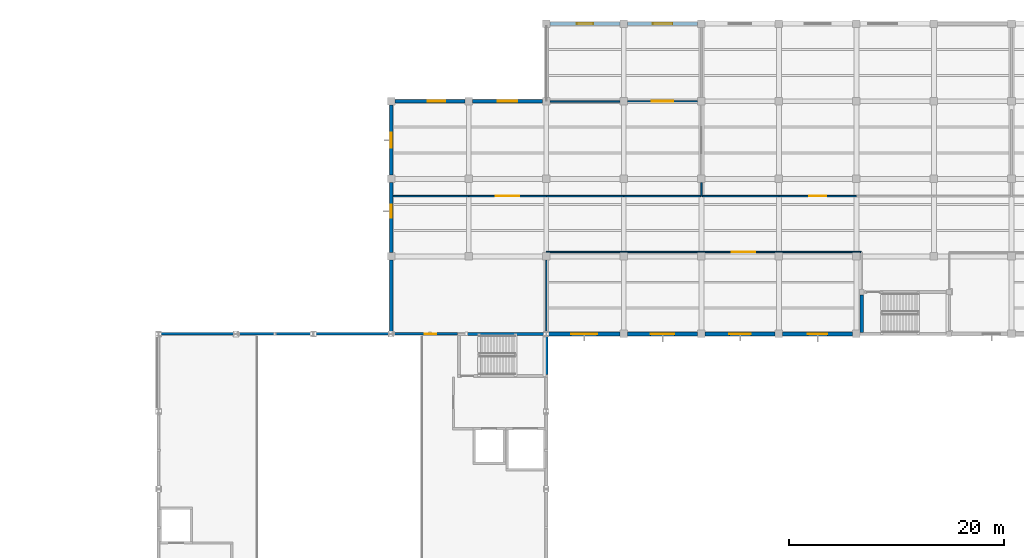
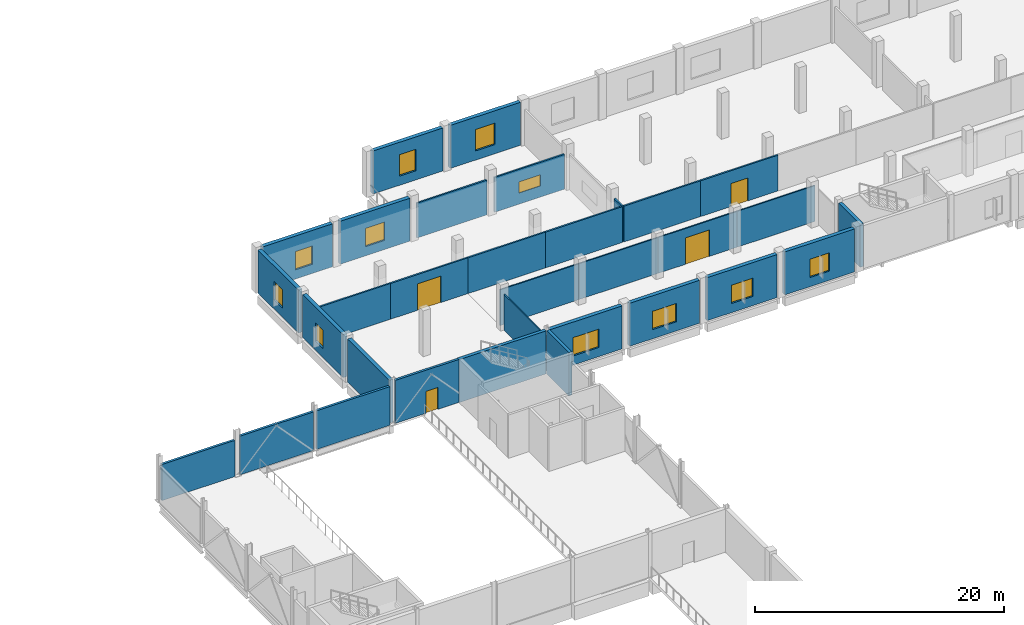
# One storey, part 92 of 108: 32 walls, 11 windows, 4 doors, 15 openings.
"""IFC4 building model written with IfcOpenShell, lengths in metres."""

from ifc_helpers import new_model, si_unit, direction, frame, frame_2d, origin, place, context, subcontext, project, spatial, rectangle, extrude, material, layer, layer_set, type_object, element, fill, save


model = new_model("IFC4")

# Units and contexts
model_context = context("Model", 3, precision=1e-05, world=origin(), true_north=direction((0.0, 1.0)))
body_context = subcontext(model_context, "Body", "Model", "MODEL_VIEW")
ifc_project = project(units=[si_unit("LENGTHUNIT", "METRE"), si_unit("AREAUNIT", "SQUARE_METRE"), si_unit("VOLUMEUNIT", "CUBIC_METRE"), si_unit("PLANEANGLEUNIT", "RADIAN"), si_unit("MASSUNIT", "GRAM", prefix="KILO"), si_unit("THERMODYNAMICTEMPERATUREUNIT", "KELVIN"), si_unit("POWERUNIT", "WATT")], contexts=[model_context])

# Site, building, storey
site_placement = place(None, origin())
site = spatial("IfcSite", under=ifc_project, at=site_placement, CompositionType="ELEMENT")
building_placement = place(site_placement, origin())
building = spatial("IfcBuilding", under=site, at=building_placement, Name="Kaldorven Railside Theatre", CompositionType="ELEMENT")
storey_placement = place(building_placement, frame((0.0, 0.0, 5.39990234375)))
storey = spatial("IfcBuildingStorey", under=building, at=storey_placement, Name="L01", CompositionType="ELEMENT", Elevation=5.39990234375)

# Wall
ifc_material_1 = material(Name="Precast concrete C40/50", Category="concrete")
ifc_layer_1 = layer(ifc_material_1, 0.35009765625, Name="Precast concrete C40/50")
ifc_layer_set_1 = layer_set([ifc_layer_1], Name="Precast concrete C40/50")
wall_type_1 = type_object("IfcWallType", Name="WL-EW03", PredefinedType="SOLIDWALL", material=ifc_layer_set_1)
wall_1_placement = place(storey_placement, frame((108.800048828125, 112.949951171875, 0.0), z_axis=(0.0, 0.0, 1.0), x_axis=(0.0, 1.0, 0.0)))
element("IfcWall", 1, at=wall_1_placement, inside=storey, type_object=wall_type_1, Name="V6L L01 Exterior Wall EW-0346", PredefinedType="SOLIDWALL", context=body_context, shape_type="SweptSolid", body=[
    extrude(rectangle(XDim=6.699951171875, YDim=0.35009765625, at=frame_2d((3.35009765625, 0.0))), origin(), (0.0, 0.0, 1.0), 4.22021484375),
])

# Wall, opening, window
wall_2_placement = place(storey_placement, frame((108.800048828125, 120.35009765625, 0.0), z_axis=(0.0, 0.0, 1.0), x_axis=(0.0, 1.0, 0.0)))
wall_2 = element("IfcWall", 2, at=wall_2_placement, inside=storey, type_object=wall_type_1, Name="V6L L01 Exterior Wall EW-0347", PredefinedType="SOLIDWALL", context=body_context, shape_type="SweptSolid", body=[
    extrude(rectangle(XDim=6.5, YDim=0.35009765625, at=frame_2d((3.25, 0.0))), origin(), (0.0, 0.0, 1.0), 4.22021484375),
])
opening_1_placement = place(wall_2_placement, frame((3.25, 0.0, 0.89990234375)))
opening_1 = element("IfcOpeningElement", 3, at=opening_1_placement, cuts=wall_2, Name="Opening WN-051", PredefinedType="OPENING", context=body_context, shape_type="SweptSolid", body=[
    extrude(rectangle(XDim=1.199951171875, YDim=1.800048828125, at=frame_2d((0.60009765625, 0.89990234375))), frame((0.0, 0.18505859375, 0.0), z_axis=(0.0, -1.0, 0.0), x_axis=(1.0, 0.0, 0.0)), (0.0, 0.0, 1.0), 0.3701171875),
])
ifc_material_2 = material(Name="Low-E laminated solar-control glass", Category="glass")
window_type_1 = type_object("IfcWindowType", Name="WN-EW01", PartitioningType="SINGLE_PANEL", PredefinedType="WINDOW", material=ifc_material_2)
window_1_placement = place(opening_1_placement, origin())
window_1 = element("IfcWindow", 4, at=window_1_placement, inside=storey, type_object=window_type_1, Name="Shaded Acoustic Exterior Window WN-051", OverallHeight=1.800048828125, OverallWidth=1.199951171875, PartitioningType="SINGLE_PANEL", PredefinedType="WINDOW", context=body_context, shape_type="SweptSolid", body=[
    extrude(rectangle(XDim=1.199951171875, YDim=1.800048828125, at=frame_2d((0.60009765625, 0.89990234375))), frame((0.0, 0.030029296875, 0.0), z_axis=(0.0, -1.0, 0.0), x_axis=(1.0, 0.0, 0.0)), (0.0, 0.0, 1.0), 0.06005859375),
])
fill(opening_1, window_1)

wall_3_placement = place(storey_placement, frame((108.800048828125, 127.550048828125, 0.0), z_axis=(0.0, 0.0, 1.0), x_axis=(0.0, 1.0, 0.0)))
wall_3 = element("IfcWall", 5, at=wall_3_placement, inside=storey, type_object=wall_type_1, Name="V6L L01 Exterior Wall EW-0348", PredefinedType="SOLIDWALL", context=body_context, shape_type="SweptSolid", body=[
    extrude(rectangle(XDim=6.5, YDim=0.35009765625, at=frame_2d((3.25, 0.0))), origin(), (0.0, 0.0, 1.0), 4.22021484375),
])
opening_2_placement = place(wall_3_placement, frame((2.550048828125, 0.0, 0.89990234375)))
opening_2 = element("IfcOpeningElement", 6, at=opening_2_placement, cuts=wall_3, Name="Opening WN-052", PredefinedType="OPENING", context=body_context, shape_type="SweptSolid", body=[
    extrude(rectangle(XDim=1.39990234375, YDim=1.800048828125, at=frame_2d((0.699951171875, 0.89990234375))), frame((0.0, 0.18505859375, 0.0), z_axis=(0.0, -1.0, 0.0), x_axis=(1.0, 0.0, 0.0)), (0.0, 0.0, 1.0), 0.3701171875),
])
window_type_2 = type_object("IfcWindowType", Name="WN-EW02", PartitioningType="SINGLE_PANEL", PredefinedType="WINDOW", material=ifc_material_2)
window_2_placement = place(opening_2_placement, origin())
window_2 = element("IfcWindow", 7, at=window_2_placement, inside=storey, type_object=window_type_2, Name="Shaded Acoustic Exterior Window WN-052", OverallHeight=1.800048828125, OverallWidth=1.39990234375, PartitioningType="SINGLE_PANEL", PredefinedType="WINDOW", context=body_context, shape_type="SweptSolid", body=[
    extrude(rectangle(XDim=1.39990234375, YDim=1.800048828125, at=frame_2d((0.699951171875, 0.89990234375))), frame((0.0, 0.030029296875, 0.0), z_axis=(0.0, -1.0, 0.0), x_axis=(1.0, 0.0, 0.0)), (0.0, 0.0, 1.0), 0.06005859375),
])
fill(opening_2, window_2)

wall_4_placement = place(storey_placement, frame((109.14990234375, 134.39990234375, 0.0), z_axis=(0.0, 0.0, 1.0), x_axis=(1.0, 0.0, 0.0)))
wall_4 = element("IfcWall", 8, at=wall_4_placement, inside=storey, type_object=wall_type_1, Name="V6L L01 Exterior Wall EW-0349", PredefinedType="SOLIDWALL", context=body_context, shape_type="SweptSolid", body=[
    extrude(rectangle(XDim=6.5, YDim=0.35009765625, at=frame_2d((3.25, 0.0))), origin(), (0.0, 0.0, 1.0), 4.22021484375),
])
opening_3_placement = place(wall_4_placement, frame((3.050048828125, 0.0, 0.89990234375)))
opening_3 = element("IfcOpeningElement", 9, at=opening_3_placement, cuts=wall_4, Name="Opening WN-053", PredefinedType="OPENING", context=body_context, shape_type="SweptSolid", body=[
    extrude(rectangle(XDim=1.60009765625, YDim=1.800048828125, at=frame_2d((0.800048828125, 0.89990234375))), frame((0.0, 0.18505859375, 0.0), z_axis=(0.0, -1.0, 0.0), x_axis=(1.0, 0.0, 0.0)), (0.0, 0.0, 1.0), 0.3701171875),
])
window_type_3 = type_object("IfcWindowType", Name="WN-EW03", PartitioningType="SINGLE_PANEL", PredefinedType="WINDOW", material=ifc_material_2)
window_3_placement = place(opening_3_placement, origin())
window_3 = element("IfcWindow", 10, at=window_3_placement, inside=storey, type_object=window_type_3, Name="Shaded Acoustic Exterior Window WN-053", OverallHeight=1.800048828125, OverallWidth=1.60009765625, PartitioningType="SINGLE_PANEL", PredefinedType="WINDOW", context=body_context, shape_type="SweptSolid", body=[
    extrude(rectangle(XDim=1.60009765625, YDim=1.800048828125, at=frame_2d((0.800048828125, 0.89990234375))), frame((0.0, 0.030029296875, 0.0), z_axis=(0.0, -1.0, 0.0), x_axis=(1.0, 0.0, 0.0)), (0.0, 0.0, 1.0), 0.06005859375),
])
fill(opening_3, window_3)

wall_5_placement = place(storey_placement, frame((116.35009765625, 134.39990234375, 0.0), z_axis=(0.0, 0.0, 1.0), x_axis=(1.0, 0.0, 0.0)))
wall_5 = element("IfcWall", 11, at=wall_5_placement, inside=storey, type_object=wall_type_1, Name="V6L L01 Exterior Wall EW-0350", PredefinedType="SOLIDWALL", context=body_context, shape_type="SweptSolid", body=[
    extrude(rectangle(XDim=6.5, YDim=0.35009765625, at=frame_2d((3.25, 0.0))), origin(), (0.0, 0.0, 1.0), 4.22021484375),
])
opening_4_placement = place(wall_5_placement, frame((2.35009765625, 0.0, 0.89990234375)))
opening_4 = element("IfcOpeningElement", 12, at=opening_4_placement, cuts=wall_5, Name="Opening WN-054", PredefinedType="OPENING", context=body_context, shape_type="SweptSolid", body=[
    extrude(rectangle(XDim=1.800048828125, YDim=1.800048828125, at=frame_2d((0.89990234375, 0.89990234375))), frame((0.0, 0.18505859375, 0.0), z_axis=(0.0, -1.0, 0.0), x_axis=(1.0, 0.0, 0.0)), (0.0, 0.0, 1.0), 0.3701171875),
])
window_type_4 = type_object("IfcWindowType", Name="WN-EW04", PartitioningType="SINGLE_PANEL", PredefinedType="WINDOW", material=ifc_material_2)
window_4_placement = place(opening_4_placement, origin())
window_4 = element("IfcWindow", 13, at=window_4_placement, inside=storey, type_object=window_type_4, Name="Shaded Acoustic Exterior Window WN-054", OverallHeight=1.800048828125, OverallWidth=1.800048828125, PartitioningType="SINGLE_PANEL", PredefinedType="WINDOW", context=body_context, shape_type="SweptSolid", body=[
    extrude(rectangle(XDim=1.800048828125, YDim=1.800048828125, at=frame_2d((0.89990234375, 0.89990234375))), frame((0.0, 0.030029296875, 0.0), z_axis=(0.0, -1.0, 0.0), x_axis=(1.0, 0.0, 0.0)), (0.0, 0.0, 1.0), 0.06005859375),
])
fill(opening_4, window_4)

wall_6_placement = place(storey_placement, frame((151.64990234375, 112.800048828125, 0.0), z_axis=(0.0, 0.0, 1.0), x_axis=(-1.0, 0.0, 0.0)))
wall_6 = element("IfcWall", 14, at=wall_6_placement, inside=storey, type_object=wall_type_1, Name="V6 L01 Exterior Wall EW-0396", PredefinedType="SOLIDWALL", context=body_context, shape_type="SweptSolid", body=[
    extrude(rectangle(XDim=6.5, YDim=0.35009765625, at=frame_2d((3.25, 0.0))), origin(), (0.0, 0.0, 1.0), 4.22021484375),
])
opening_5_placement = place(wall_6_placement, frame((2.35009765625, 0.0, 0.89990234375)))
opening_5 = element("IfcOpeningElement", 15, at=opening_5_placement, cuts=wall_6, Name="Opening WN-079", PredefinedType="OPENING", context=body_context, shape_type="SweptSolid", body=[
    extrude(rectangle(XDim=1.800048828125, YDim=1.800048828125, at=frame_2d((0.89990234375, 0.89990234375))), frame((0.0, 0.18505859375, 0.0), z_axis=(0.0, -1.0, 0.0), x_axis=(1.0, 0.0, 0.0)), (0.0, 0.0, 1.0), 0.3701171875),
])
window_5_placement = place(opening_5_placement, origin())
window_5 = element("IfcWindow", 16, at=window_5_placement, inside=storey, type_object=window_type_4, Name="Shaded Acoustic Exterior Window WN-079", OverallHeight=1.800048828125, OverallWidth=1.800048828125, PartitioningType="SINGLE_PANEL", PredefinedType="WINDOW", context=body_context, shape_type="SweptSolid", body=[
    extrude(rectangle(XDim=1.800048828125, YDim=1.800048828125, at=frame_2d((0.89990234375, 0.89990234375))), frame((0.0, 0.030029296875, 0.0), z_axis=(0.0, -1.0, 0.0), x_axis=(1.0, 0.0, 0.0)), (0.0, 0.0, 1.0), 0.06005859375),
])
fill(opening_5, window_5)

wall_7_placement = place(storey_placement, frame((144.449951171875, 112.800048828125, 0.0), z_axis=(0.0, 0.0, 1.0), x_axis=(-1.0, 0.0, 0.0)))
wall_7 = element("IfcWall", 17, at=wall_7_placement, inside=storey, type_object=wall_type_1, Name="V6 L01 Exterior Wall EW-0397", PredefinedType="SOLIDWALL", context=body_context, shape_type="SweptSolid", body=[
    extrude(rectangle(XDim=6.5, YDim=0.35009765625, at=frame_2d((3.25, 0.0))), origin(), (0.0, 0.0, 1.0), 4.22021484375),
])
opening_6_placement = place(wall_7_placement, frame((2.25, 0.0, 0.89990234375)))
opening_6 = element("IfcOpeningElement", 18, at=opening_6_placement, cuts=wall_7, Name="Opening WN-080", PredefinedType="OPENING", context=body_context, shape_type="SweptSolid", body=[
    extrude(rectangle(XDim=2.0, YDim=1.800048828125, at=frame_2d((1.0, 0.89990234375))), frame((0.0, 0.18505859375, 0.0), z_axis=(0.0, -1.0, 0.0), x_axis=(1.0, 0.0, 0.0)), (0.0, 0.0, 1.0), 0.3701171875),
])
window_type_5 = type_object("IfcWindowType", Name="WN-EW05", PartitioningType="SINGLE_PANEL", PredefinedType="WINDOW", material=ifc_material_2)
window_6_placement = place(opening_6_placement, origin())
window_6 = element("IfcWindow", 19, at=window_6_placement, inside=storey, type_object=window_type_5, Name="Shaded Acoustic Exterior Window WN-080", OverallHeight=1.800048828125, OverallWidth=2.0, PartitioningType="SINGLE_PANEL", PredefinedType="WINDOW", context=body_context, shape_type="SweptSolid", body=[
    extrude(rectangle(XDim=2.0, YDim=1.800048828125, at=frame_2d((1.0, 0.89990234375))), frame((0.0, 0.030029296875, 0.0), z_axis=(0.0, -1.0, 0.0), x_axis=(1.0, 0.0, 0.0)), (0.0, 0.0, 1.0), 0.06005859375),
])
fill(opening_6, window_6)

wall_8_placement = place(storey_placement, frame((137.25, 112.800048828125, 0.0), z_axis=(0.0, 0.0, 1.0), x_axis=(-1.0, 0.0, 0.0)))
wall_8 = element("IfcWall", 20, at=wall_8_placement, inside=storey, type_object=wall_type_1, Name="V6 L01 Exterior Wall EW-0398", PredefinedType="SOLIDWALL", context=body_context, shape_type="SweptSolid", body=[
    extrude(rectangle(XDim=6.5, YDim=0.35009765625, at=frame_2d((3.25, 0.0))), origin(), (0.0, 0.0, 1.0), 4.22021484375),
])
opening_7_placement = place(wall_8_placement, frame((2.14990234375, 0.0, 0.89990234375)))
opening_7 = element("IfcOpeningElement", 21, at=opening_7_placement, cuts=wall_8, Name="Opening WN-081", PredefinedType="OPENING", context=body_context, shape_type="SweptSolid", body=[
    extrude(rectangle(XDim=2.199951171875, YDim=1.800048828125, at=frame_2d((1.10009765625, 0.89990234375))), frame((0.0, 0.18505859375, 0.0), z_axis=(0.0, -1.0, 0.0), x_axis=(1.0, 0.0, 0.0)), (0.0, 0.0, 1.0), 0.3701171875),
])
window_type_6 = type_object("IfcWindowType", Name="WN-EW06", PartitioningType="SINGLE_PANEL", PredefinedType="WINDOW", material=ifc_material_2)
window_7_placement = place(opening_7_placement, origin())
window_7 = element("IfcWindow", 22, at=window_7_placement, inside=storey, type_object=window_type_6, Name="Shaded Acoustic Exterior Window WN-081", OverallHeight=1.800048828125, OverallWidth=2.199951171875, PartitioningType="SINGLE_PANEL", PredefinedType="WINDOW", context=body_context, shape_type="SweptSolid", body=[
    extrude(rectangle(XDim=2.199951171875, YDim=1.800048828125, at=frame_2d((1.10009765625, 0.89990234375))), frame((0.0, 0.030029296875, 0.0), z_axis=(0.0, -1.0, 0.0), x_axis=(1.0, 0.0, 0.0)), (0.0, 0.0, 1.0), 0.06005859375),
])
fill(opening_7, window_7)

wall_9_placement = place(storey_placement, frame((130.050048828125, 112.800048828125, 0.0), z_axis=(0.0, 0.0, 1.0), x_axis=(-1.0, 0.0, 0.0)))
wall_9 = element("IfcWall", 23, at=wall_9_placement, inside=storey, type_object=wall_type_1, Name="V6 L01 Exterior Wall EW-0399", PredefinedType="SOLIDWALL", context=body_context, shape_type="SweptSolid", body=[
    extrude(rectangle(XDim=6.663818359375, YDim=0.35009765625, at=frame_2d((3.33203125, 0.0))), origin(), (0.0, 0.0, 1.0), 4.22021484375),
])
opening_8_placement = place(wall_9_placement, frame((2.1318359375, 0.0, 0.89990234375)))
opening_8 = element("IfcOpeningElement", 24, at=opening_8_placement, cuts=wall_9, Name="Opening WN-082", PredefinedType="OPENING", context=body_context, shape_type="SweptSolid", body=[
    extrude(rectangle(XDim=2.39990234375, YDim=1.800048828125, at=frame_2d((1.199951171875, 0.89990234375))), frame((0.0, 0.18505859375, 0.0), z_axis=(0.0, -1.0, 0.0), x_axis=(1.0, 0.0, 0.0)), (0.0, 0.0, 1.0), 0.3701171875),
])
window_type_7 = type_object("IfcWindowType", Name="WN-EW07", PartitioningType="SINGLE_PANEL", PredefinedType="WINDOW", material=ifc_material_2)
window_8_placement = place(opening_8_placement, origin())
window_8 = element("IfcWindow", 25, at=window_8_placement, inside=storey, type_object=window_type_7, Name="Shaded Acoustic Exterior Window WN-082", OverallHeight=1.800048828125, OverallWidth=2.39990234375, PartitioningType="SINGLE_PANEL", PredefinedType="WINDOW", context=body_context, shape_type="SweptSolid", body=[
    extrude(rectangle(XDim=2.39990234375, YDim=1.800048828125, at=frame_2d((1.199951171875, 0.89990234375))), frame((0.0, 0.030029296875, 0.0), z_axis=(0.0, -1.0, 0.0), x_axis=(1.0, 0.0, 0.0)), (0.0, 0.0, 1.0), 0.06005859375),
])
fill(opening_8, window_8)

wall_10_placement = place(storey_placement, frame((123.550048828125, 141.60009765625, 0.0), z_axis=(0.0, 0.0, 1.0), x_axis=(1.0, 0.0, 0.0)))
wall_10 = element("IfcWall", 26, at=wall_10_placement, inside=storey, type_object=wall_type_1, Name="V6 L01 Exterior Wall EW-0400", PredefinedType="SOLIDWALL", context=body_context, shape_type="SweptSolid", body=[
    extrude(rectangle(XDim=6.5, YDim=0.35009765625, at=frame_2d((3.25, 0.0))), origin(), (0.0, 0.0, 1.0), 4.22021484375),
])
opening_9_placement = place(wall_10_placement, frame((2.5, 0.0, 0.89990234375)))
opening_9 = element("IfcOpeningElement", 27, at=opening_9_placement, cuts=wall_10, Name="Opening WN-083", PredefinedType="OPENING", context=body_context, shape_type="SweptSolid", body=[
    extrude(rectangle(XDim=1.5, YDim=2.10009765625, at=frame_2d((0.75, 1.050048828125))), frame((0.0, 0.18505859375, 0.0), z_axis=(0.0, -1.0, 0.0), x_axis=(1.0, 0.0, 0.0)), (0.0, 0.0, 1.0), 0.3701171875),
])
window_type_8 = type_object("IfcWindowType", Name="WN-EW08", PartitioningType="SINGLE_PANEL", PredefinedType="WINDOW", material=ifc_material_2)
window_9_placement = place(opening_9_placement, origin())
window_9 = element("IfcWindow", 28, at=window_9_placement, inside=storey, type_object=window_type_8, Name="Shaded Acoustic Exterior Window WN-083", OverallHeight=2.10009765625, OverallWidth=1.5, PartitioningType="SINGLE_PANEL", PredefinedType="WINDOW", context=body_context, shape_type="SweptSolid", body=[
    extrude(rectangle(XDim=1.5, YDim=2.10009765625, at=frame_2d((0.75, 1.050048828125))), frame((0.0, 0.030029296875, 0.0), z_axis=(0.0, -1.0, 0.0), x_axis=(1.0, 0.0, 0.0)), (0.0, 0.0, 1.0), 0.06005859375),
])
fill(opening_9, window_9)

wall_11_placement = place(storey_placement, frame((130.75, 141.60009765625, 0.0), z_axis=(0.0, 0.0, 1.0), x_axis=(1.0, 0.0, 0.0)))
wall_11 = element("IfcWall", 29, at=wall_11_placement, inside=storey, type_object=wall_type_1, Name="V6 L01 Exterior Wall EW-0401", PredefinedType="SOLIDWALL", context=body_context, shape_type="SweptSolid", body=[
    extrude(rectangle(XDim=6.5, YDim=0.35009765625, at=frame_2d((3.25, 0.0))), origin(), (0.0, 0.0, 1.0), 4.22021484375),
])
opening_10_placement = place(wall_11_placement, frame((2.35009765625, 0.0, 0.89990234375)))
opening_10 = element("IfcOpeningElement", 30, at=opening_10_placement, cuts=wall_11, Name="Opening WN-084", PredefinedType="OPENING", context=body_context, shape_type="SweptSolid", body=[
    extrude(rectangle(XDim=1.800048828125, YDim=2.10009765625, at=frame_2d((0.89990234375, 1.050048828125))), frame((0.0, 0.18505859375, 0.0), z_axis=(0.0, -1.0, 0.0), x_axis=(1.0, 0.0, 0.0)), (0.0, 0.0, 1.0), 0.3701171875),
])
window_type_9 = type_object("IfcWindowType", Name="WN-EW09", PartitioningType="SINGLE_PANEL", PredefinedType="WINDOW", material=ifc_material_2)
window_10_placement = place(opening_10_placement, origin())
window_10 = element("IfcWindow", 31, at=window_10_placement, inside=storey, type_object=window_type_9, Name="Shaded Acoustic Exterior Window WN-084", OverallHeight=2.10009765625, OverallWidth=1.800048828125, PartitioningType="SINGLE_PANEL", PredefinedType="WINDOW", context=body_context, shape_type="SweptSolid", body=[
    extrude(rectangle(XDim=1.800048828125, YDim=2.10009765625, at=frame_2d((0.89990234375, 1.050048828125))), frame((0.0, 0.030029296875, 0.0), z_axis=(0.0, -1.0, 0.0), x_axis=(1.0, 0.0, 0.0)), (0.0, 0.0, 1.0), 0.06005859375),
])
fill(opening_10, window_10)

# Walls
ifc_layer_2 = layer(ifc_material_1, 0.219970703125, Name="Precast concrete C40/50")
ifc_layer_set_2 = layer_set([ifc_layer_2], Name="Precast concrete C40/50")
wall_type_2 = type_object("IfcWallType", Name="WL-EW07", PredefinedType="SOLIDWALL", material=ifc_layer_set_2)
wall_12_placement = place(storey_placement, frame((87.38623046875, 112.800048828125, 0.0), z_axis=(0.0, 0.0, 1.0), x_axis=(1.0, 0.0, 0.0)))
element("IfcWall", 32, at=wall_12_placement, inside=storey, type_object=wall_type_2, Name="V2 L01 Exterior Wall EW-0285", PredefinedType="SOLIDWALL", context=body_context, shape_type="SweptSolid", body=[
    extrude(rectangle(XDim=6.763671875, YDim=0.219970703125, at=frame_2d((3.3818359375, 0.0))), origin(), (0.0, 0.0, 1.0), 3.55517578125),
])
for number, where, z_axis, x_axis, name in (
    (33, (94.64990234375, 112.800048828125, 0.0), (0.0, 0.0, 1.0), (1.0, 0.0, 0.0), "V2 L01 Exterior Wall EW-0286"),
    (34, (101.75, 112.800048828125, 0.0), (0.0, 0.0, 1.0), (1.0, 0.0, 0.0), "V2 L01 Exterior Wall EW-0287"),
):
    element("IfcWall", number, at=place(storey_placement, frame(where, z_axis=z_axis, x_axis=x_axis)), inside=storey, type_object=wall_type_2, Name=name, PredefinedType="SOLIDWALL", context=body_context, shape_type="SweptSolid", body=[
        extrude(rectangle(XDim=6.800048828125, YDim=0.219970703125, at=frame_2d((3.39990234375, 0.0))), origin(), (0.0, 0.0, 1.0), 3.795166015625),
    ])

# Wall, opening, door
wall_13_placement = place(storey_placement, frame((109.050048828125, 112.800048828125, 0.0), z_axis=(0.0, 0.0, 1.0), x_axis=(1.0, 0.0, 0.0)))
wall_13 = element("IfcWall", 35, at=wall_13_placement, inside=storey, type_object=wall_type_2, Name="V2 L01 Exterior Wall EW-0288", PredefinedType="SOLIDWALL", context=body_context, shape_type="SweptSolid", body=[
    extrude(rectangle(XDim=5.89990234375, YDim=0.219970703125, at=frame_2d((2.949951171875, 0.0))), origin(), (0.0, 0.0, 1.0), 4.22021484375),
])
opening_11_placement = place(wall_13_placement, frame((2.85009765625, 0.0, 0.0)))
opening_11 = element("IfcOpeningElement", 36, at=opening_11_placement, cuts=wall_13, Name="Opening ID-0081", PredefinedType="OPENING", context=body_context, shape_type="SweptSolid", body=[
    extrude(rectangle(XDim=1.10009765625, YDim=2.14990234375, at=frame_2d((0.550048828125, 1.074951171875))), frame((0.0, 0.1201171875, 0.0), z_axis=(0.0, -1.0, 0.0), x_axis=(1.0, 0.0, 0.0)), (0.0, 0.0, 1.0), 0.239990234375),
])
ifc_material_3 = material(Name="Acoustic hardwood timber", Category="wood")
door_type_1 = type_object("IfcDoorType", Name="DR-ID-FD60", OperationType="NOTDEFINED", PredefinedType="DOOR", material=ifc_material_3)
door_1_placement = place(opening_11_placement, origin())
door_1 = element("IfcDoor", 37, at=door_1_placement, inside=storey, type_object=door_type_1, Name="L01 Stage-to-Backstage Corridor Door", OperationType="SINGLE_SWING_RIGHT", OverallHeight=2.14990234375, OverallWidth=1.10009765625, PredefinedType="DOOR", context=body_context, shape_type="SweptSolid", body=[
    extrude(rectangle(XDim=1.10009765625, YDim=2.14990234375, at=frame_2d((0.550048828125, 1.074951171875))), frame((0.0, 0.02490234375, 0.0), z_axis=(0.0, -1.0, 0.0), x_axis=(1.0, 0.0, 0.0)), (0.0, 0.0, 1.0), 0.050048828125),
])
fill(opening_11, door_1)

# Wall
ifc_material_4 = material(Name="Acoustic gypsum board")
ifc_layer_3 = layer(ifc_material_4, 0.14990234375, Name="Acoustic gypsum board")
ifc_layer_set_3 = layer_set([ifc_layer_3], Name="Acoustic gypsum board")
wall_type_3 = type_object("IfcWallType", Name="WL-IW-AC1", PredefinedType="PARTITIONING", material=ifc_layer_set_3)
wall_14_placement = place(storey_placement, frame((137.60009765625, 125.60009765625, 0.0), z_axis=(0.0, 0.0, 1.0), x_axis=(0.0, 1.0, 0.0)))
element("IfcWall", 38, at=wall_14_placement, inside=storey, type_object=wall_type_3, Name="L01 Interior Wall IW-0548", PredefinedType="PARTITIONING", context=body_context, shape_type="SweptSolid", body=[
    extrude(rectangle(XDim=1.25, YDim=0.14990234375, at=frame_2d((0.625, 0.0))), origin(), (0.0, 0.0, 1.0), 3.51513671875),
])

# Wall, opening, window
wall_15_placement = place(storey_placement, frame((137.25, 134.39990234375, 0.0), z_axis=(0.0, 0.0, 1.0), x_axis=(-1.0, 0.0, 0.0)))
wall_15 = element("IfcWall", 39, at=wall_15_placement, inside=storey, type_object=wall_type_3, Name="L01 Interior Wall IW-0549", PredefinedType="PARTITIONING", context=body_context, shape_type="SweptSolid", body=[
    extrude(rectangle(XDim=6.5, YDim=0.14990234375, at=frame_2d((3.25, 0.0))), origin(), (0.0, 0.0, 1.0), 3.4150390625),
])
opening_12_placement = place(wall_15_placement, frame((2.25, 0.0, 1.10009765625)))
opening_12 = element("IfcOpeningElement", 40, at=opening_12_placement, cuts=wall_15, Name="Opening IWN-018", PredefinedType="OPENING", context=body_context, shape_type="SweptSolid", body=[
    extrude(rectangle(XDim=2.0, YDim=1.10009765625, at=frame_2d((1.0, 0.550048828125))), frame((0.0, 0.0849609375, 0.0), z_axis=(0.0, -1.0, 0.0), x_axis=(1.0, 0.0, 0.0)), (0.0, 0.0, 1.0), 0.169921875),
])
window_type_10 = type_object("IfcWindowType", Name="WN-IW02", PartitioningType="SINGLE_PANEL", PredefinedType="WINDOW", material=ifc_material_2)
window_11_placement = place(opening_12_placement, origin())
window_11 = element("IfcWindow", 41, at=window_11_placement, inside=storey, type_object=window_type_10, Name="Acoustic Observation Window IWN-018", OverallHeight=1.10009765625, OverallWidth=2.0, PartitioningType="SINGLE_PANEL", PredefinedType="WINDOW", context=body_context, shape_type="SweptSolid", body=[
    extrude(rectangle(XDim=2.0, YDim=1.10009765625, at=frame_2d((1.0, 0.550048828125))), frame((0.0, 0.030029296875, 0.0), z_axis=(0.0, -1.0, 0.0), x_axis=(1.0, 0.0, 0.0)), (0.0, 0.0, 1.0), 0.06005859375),
])
fill(opening_12, window_11)

# Walls
wall_16_placement = place(storey_placement, frame((130.050048828125, 134.39990234375, 0.0), z_axis=(0.0, 0.0, 1.0), x_axis=(-1.0, 0.0, 0.0)))
element("IfcWall", 42, at=wall_16_placement, inside=storey, type_object=wall_type_3, Name="L01 Interior Wall IW-0550", PredefinedType="PARTITIONING", context=body_context, shape_type="SweptSolid", body=[
    extrude(rectangle(XDim=6.5, YDim=0.14990234375, at=frame_2d((3.25, 0.0))), origin(), (0.0, 0.0, 1.0), 3.4150390625),
])
wall_17_placement = place(storey_placement, frame((108.97705078125, 125.60009765625, 0.0), z_axis=(0.0, 0.0, 1.0), x_axis=(1.0, 0.0, 0.0)))
element("IfcWall", 43, at=wall_17_placement, inside=storey, type_object=wall_type_3, Name="L01 Interior Wall IW-0551", PredefinedType="PARTITIONING", context=body_context, shape_type="SweptSolid", body=[
    extrude(rectangle(XDim=7.02294921875, YDim=0.14990234375, at=frame_2d((3.511474609375, 0.0))), origin(), (0.0, 0.0, 1.0), 3.51513671875),
])

# Wall, opening, door
wall_18_placement = place(storey_placement, frame((116.0, 125.60009765625, 0.0), z_axis=(0.0, 0.0, 1.0), x_axis=(1.0, 0.0, 0.0)))
wall_18 = element("IfcWall", 44, at=wall_18_placement, inside=storey, type_object=wall_type_3, Name="L01 Interior Wall IW-0552", PredefinedType="PARTITIONING", context=body_context, shape_type="SweptSolid", body=[
    extrude(rectangle(XDim=7.199951171875, YDim=0.14990234375, at=frame_2d((3.60009765625, 0.0))), origin(), (0.0, 0.0, 1.0), 3.51513671875),
])
opening_13_placement = place(wall_18_placement, frame((2.5, 0.0, 0.0)))
opening_13 = element("IfcOpeningElement", 45, at=opening_13_placement, cuts=wall_18, Name="Opening ID-0128", PredefinedType="OPENING", context=body_context, shape_type="SweptSolid", body=[
    extrude(rectangle(XDim=2.199951171875, YDim=2.60009765625, at=frame_2d((1.10009765625, 1.300048828125))), frame((0.0, 0.0849609375, 0.0), z_axis=(0.0, -1.0, 0.0), x_axis=(1.0, 0.0, 0.0)), (0.0, 0.0, 1.0), 0.169921875),
])
ifc_material_5 = material(Name="Powder-coated hollow-metal steel", Category="steel")
door_type_2 = type_object("IfcDoorType", Name="DR-ID-WKS1", OperationType="NOTDEFINED", PredefinedType="DOOR", material=ifc_material_5)
door_2_placement = place(opening_13_placement, origin())
door_2 = element("IfcDoor", 46, at=door_2_placement, inside=storey, type_object=door_type_2, Name="Wardrobe Workshop Entry Door", OperationType="DOUBLE_DOOR_SINGLE_SWING", OverallHeight=2.60009765625, OverallWidth=2.199951171875, PredefinedType="DOOR", context=body_context, shape_type="SweptSolid", body=[
    extrude(rectangle(XDim=2.199951171875, YDim=2.60009765625, at=frame_2d((1.10009765625, 1.300048828125))), frame((0.0, 0.02490234375, 0.0), z_axis=(0.0, -1.0, 0.0), x_axis=(1.0, 0.0, 0.0)), (0.0, 0.0, 1.0), 0.050048828125),
])
fill(opening_13, door_2)

# Walls
wall_19_placement = place(storey_placement, frame((123.199951171875, 125.60009765625, 0.0), z_axis=(0.0, 0.0, 1.0), x_axis=(1.0, 0.0, 0.0)))
element("IfcWall", 47, at=wall_19_placement, inside=storey, type_object=wall_type_3, Name="L01 Interior Wall IW-0553", PredefinedType="PARTITIONING", context=body_context, shape_type="SweptSolid", body=[
    extrude(rectangle(XDim=7.199951171875, YDim=0.14990234375, at=frame_2d((3.60009765625, 0.0))), origin(), (0.0, 0.0, 1.0), 3.51513671875),
])
for number, where, z_axis, x_axis, name in (
    (48, (130.39990234375, 125.60009765625, 0.0), (0.0, 0.0, 1.0), (1.0, 0.0, 0.0), "L01 Interior Wall IW-0554"),
    (49, (137.677001953125, 125.60009765625, 0.0), (0.0, 0.0, 1.0), (1.0, 0.0, 0.0), "L01 Interior Wall IW-0559"),
):
    element("IfcWall", number, at=place(storey_placement, frame(where, z_axis=z_axis, x_axis=x_axis)), inside=storey, type_object=wall_type_3, Name=name, PredefinedType="PARTITIONING", context=body_context, shape_type="SweptSolid", body=[
        extrude(rectangle(XDim=7.123046875, YDim=0.14990234375, at=frame_2d((3.5615234375, 0.0))), origin(), (0.0, 0.0, 1.0), 3.51513671875),
    ])

# Wall, opening, door
wall_20_placement = place(storey_placement, frame((144.800048828125, 125.60009765625, 0.0), z_axis=(0.0, 0.0, 1.0), x_axis=(1.0, 0.0, 0.0)))
wall_20 = element("IfcWall", 50, at=wall_20_placement, inside=storey, type_object=wall_type_3, Name="L01 Interior Wall IW-0560", PredefinedType="PARTITIONING", context=body_context, shape_type="SweptSolid", body=[
    extrude(rectangle(XDim=7.199951171875, YDim=0.14990234375, at=frame_2d((3.60009765625, 0.0))), origin(), (0.0, 0.0, 1.0), 3.51513671875),
])
opening_14_placement = place(wall_20_placement, frame((2.800048828125, 0.0, 0.0)))
opening_14 = element("IfcOpeningElement", 51, at=opening_14_placement, cuts=wall_20, Name="Opening ID-0129", PredefinedType="OPENING", context=body_context, shape_type="SweptSolid", body=[
    extrude(rectangle(XDim=1.60009765625, YDim=2.25, at=frame_2d((0.800048828125, 1.125))), frame((0.0, 0.0849609375, 0.0), z_axis=(0.0, -1.0, 0.0), x_axis=(1.0, 0.0, 0.0)), (0.0, 0.0, 1.0), 0.169921875),
])
door_type_3 = type_object("IfcDoorType", Name="DR-ID-REH1", OperationType="NOTDEFINED", PredefinedType="DOOR", material=ifc_material_3)
door_3_placement = place(opening_14_placement, origin())
door_3 = element("IfcDoor", 52, at=door_3_placement, inside=storey, type_object=door_type_3, Name="Chorus Dressing Room West Entry Door", OperationType="DOUBLE_DOOR_SINGLE_SWING", OverallHeight=2.25, OverallWidth=1.60009765625, PredefinedType="DOOR", context=body_context, shape_type="SweptSolid", body=[
    extrude(rectangle(XDim=1.60009765625, YDim=2.25, at=frame_2d((0.800048828125, 1.125))), frame((0.0, 0.02490234375, 0.0), z_axis=(0.0, -1.0, 0.0), x_axis=(1.0, 0.0, 0.0)), (0.0, 0.0, 1.0), 0.050048828125),
])
fill(opening_14, door_3)

# Walls
ifc_material_6 = material(Name="Concrete C40/50", Category="concrete")
ifc_layer_4 = layer(ifc_material_6, 0.300048828125, Name="Concrete C40/50")
ifc_layer_set_4 = layer_set([ifc_layer_4], Name="Concrete C40/50")
wall_type_4 = type_object("IfcWallType", Name="WL-IW-CORE", PredefinedType="SHEAR", material=ifc_layer_set_4)
wall_21_placement = place(storey_placement, frame((114.949951171875, 112.800048828125, 0.0), z_axis=(0.0, 0.0, 1.0), x_axis=(1.0, 0.0, 0.0)))
element("IfcWall", 53, at=wall_21_placement, inside=storey, type_object=wall_type_4, Name="L01 Core Wall CW-0207", PredefinedType="SHEAR", context=body_context, shape_type="SweptSolid", body=[
    extrude(rectangle(XDim=8.063720703125, YDim=0.300048828125, at=frame_2d((4.03173828125, 0.0))), origin(), (0.0, 0.0, 1.0), 4.22021484375),
])
wall_22_placement = place(storey_placement, frame((123.199951171875, 112.615966796875, 0.0), z_axis=(0.0, 0.0, 1.0), x_axis=(0.0, -1.0, 0.0)))
element("IfcWall", 54, at=wall_22_placement, inside=storey, type_object=wall_type_4, Name="L01 Core Wall CW-0208", PredefinedType="SHEAR", context=body_context, shape_type="SweptSolid", body=[
    extrude(rectangle(XDim=3.56396484375, YDim=0.300048828125, at=frame_2d((1.781982421875, 0.0))), origin(), (0.0, 0.0, 1.0), 4.260009765625),
])
wall_23_placement = place(storey_placement, frame((152.5, 112.951904296875, 0.0), z_axis=(0.0, 0.0, 1.0), x_axis=(0.0, 1.0, 0.0)))
element("IfcWall", 55, at=wall_23_placement, inside=storey, type_object=wall_type_4, Name="L01 Core Wall CW-0310", PredefinedType="SHEAR", context=body_context, shape_type="SweptSolid", body=[
    extrude(rectangle(XDim=3.447998046875, YDim=0.300048828125, at=frame_2d((1.72412109375, 0.0))), origin(), (0.0, 0.0, 1.0), 4.22021484375),
])
ifc_material_7 = material(Name="Fire-rated acoustic gypsum board")
ifc_layer_5 = layer(ifc_material_7, 0.1201171875, Name="Fire-rated acoustic gypsum board")
ifc_layer_set_5 = layer_set([ifc_layer_5], Name="Fire-rated acoustic gypsum board")
wall_type_5 = type_object("IfcWallType", Name="WL-IW-PT1", PredefinedType="PARTITIONING", material=ifc_layer_set_5)
wall_24_placement = place(storey_placement, frame((152.43798828125, 120.39990234375, 0.0), z_axis=(0.0, 0.0, 1.0), x_axis=(-1.0, 0.0, 0.0)))
element("IfcWall", 56, at=wall_24_placement, inside=storey, type_object=wall_type_5, Name="L01 Interior Wall IW-0567", PredefinedType="PARTITIONING", context=body_context, shape_type="SweptSolid", body=[
    extrude(rectangle(XDim=7.262939453125, YDim=0.1201171875, at=frame_2d((3.63134765625, 0.0))), origin(), (0.0, 0.0, 1.0), 3.51513671875),
])

# Wall, opening, door
wall_25_placement = place(storey_placement, frame((145.175048828125, 120.39990234375, 0.0), z_axis=(0.0, 0.0, 1.0), x_axis=(-1.0, 0.0, 0.0)))
wall_25 = element("IfcWall", 57, at=wall_25_placement, inside=storey, type_object=wall_type_5, Name="L01 Interior Wall IW-0568", PredefinedType="PARTITIONING", context=body_context, shape_type="SweptSolid", body=[
    extrude(rectangle(XDim=7.324951171875, YDim=0.1201171875, at=frame_2d((3.66259765625, 0.0))), origin(), (0.0, 0.0, 1.0), 3.51513671875),
])
opening_15_placement = place(wall_25_placement, frame((2.5625, 0.0, 0.0)))
opening_15 = element("IfcOpeningElement", 58, at=opening_15_placement, cuts=wall_25, Name="Opening ID-0131", PredefinedType="OPENING", context=body_context, shape_type="SweptSolid", body=[
    extrude(rectangle(XDim=2.199951171875, YDim=2.60009765625, at=frame_2d((1.10009765625, 1.300048828125))), frame((0.0, 0.070068359375, 0.0), z_axis=(0.0, -1.0, 0.0), x_axis=(1.0, 0.0, 0.0)), (0.0, 0.0, 1.0), 0.14013671875),
])
door_4_placement = place(opening_15_placement, origin())
door_4 = element("IfcDoor", 59, at=door_4_placement, inside=storey, type_object=door_type_2, Name="Wig and Make-Up Room Entry Door", OperationType="DOUBLE_DOOR_SINGLE_SWING", OverallHeight=2.60009765625, OverallWidth=2.199951171875, PredefinedType="DOOR", context=body_context, shape_type="SweptSolid", body=[
    extrude(rectangle(XDim=2.199951171875, YDim=2.60009765625, at=frame_2d((1.10009765625, 1.300048828125))), frame((0.0, 0.02490234375, 0.0), z_axis=(0.0, -1.0, 0.0), x_axis=(1.0, 0.0, 0.0)), (0.0, 0.0, 1.0), 0.050048828125),
])
fill(opening_15, door_4)

# Walls
wall_26_placement = place(storey_placement, frame((137.85009765625, 120.39990234375, 0.0), z_axis=(0.0, 0.0, 1.0), x_axis=(-1.0, 0.0, 0.0)))
element("IfcWall", 60, at=wall_26_placement, inside=storey, type_object=wall_type_5, Name="L01 Interior Wall IW-0569", PredefinedType="PARTITIONING", context=body_context, shape_type="SweptSolid", body=[
    extrude(rectangle(XDim=7.3251953125, YDim=0.1201171875, at=frame_2d((3.66259765625, 0.0))), origin(), (0.0, 0.0, 1.0), 3.51513671875),
])
wall_27_placement = place(storey_placement, frame((130.52490234375, 120.39990234375, 0.0), z_axis=(0.0, 0.0, 1.0), x_axis=(-1.0, 0.0, 0.0)))
element("IfcWall", 61, at=wall_27_placement, inside=storey, type_object=wall_type_5, Name="L01 Interior Wall IW-0570", PredefinedType="PARTITIONING", context=body_context, shape_type="SweptSolid", body=[
    extrude(rectangle(XDim=7.324951171875, YDim=0.1201171875, at=frame_2d((3.66259765625, 0.0))), origin(), (0.0, 0.0, 1.0), 3.51513671875),
])
wall_28_placement = place(storey_placement, frame((123.199951171875, 119.64990234375, 0.0), z_axis=(0.0, 0.0, 1.0), x_axis=(0.0, -1.0, 0.0)))
element("IfcWall", 62, at=wall_28_placement, inside=storey, type_object=wall_type_5, Name="L01 Interior Wall IW-0571", PredefinedType="PARTITIONING", context=body_context, shape_type="SweptSolid", body=[
    extrude(rectangle(XDim=6.665771484375, YDim=0.1201171875, at=frame_2d((3.3330078125, 0.0))), origin(), (0.0, 0.0, 1.0), 3.51513671875),
])

save(model, "model.ifc")
